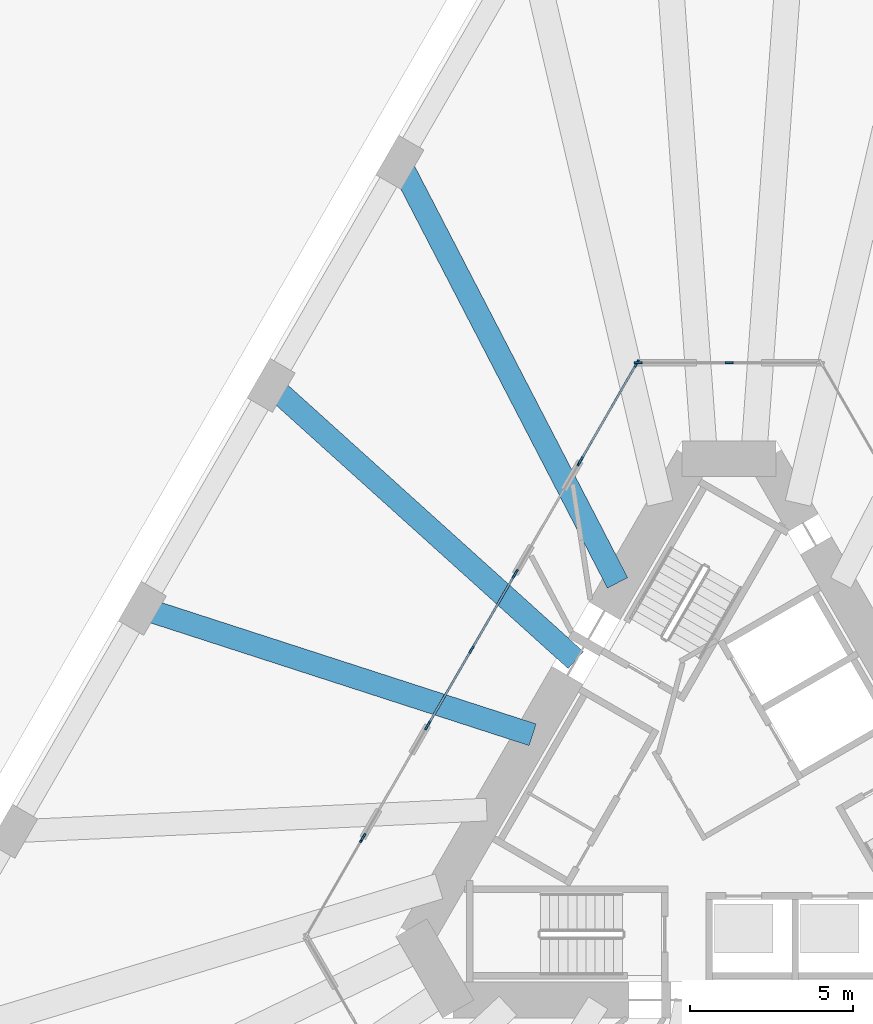
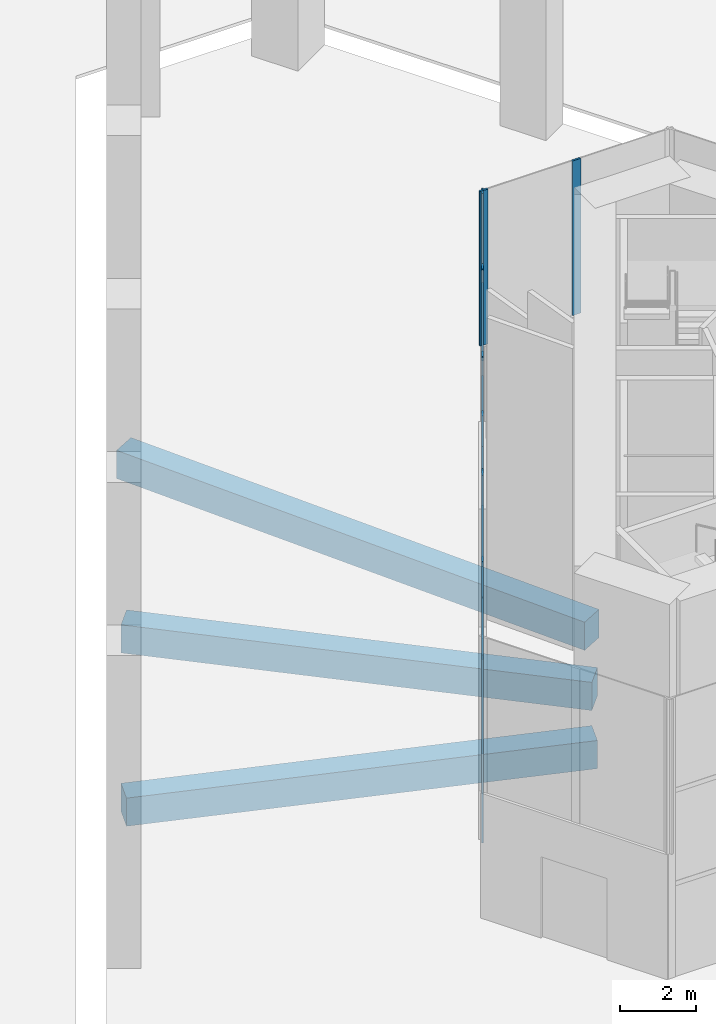
# One storey, part 4 of 13: 18 members, 3 beams, 6 elements without a shape of their own.
"""IFC4 building model written with IfcOpenShell, lengths in metres."""

import ifcopenshell
import ifcopenshell.guid

model = None  # the IFC model being written
_history = None  # IfcOwnerHistory: only IFC2X3 demands one
_inside = {}  # id of a spatial element -> (the spatial element, [elements in it])
_under = {}  # id of a project, library or spatial element -> (it, [spatial elements below it])
_declared = {}  # id of a project -> (the project, [libraries it declares])
_typed = {}  # id of a type object -> (the type object, [elements of that type])
_made_of = {}  # id of a material, layer set ... -> (it, [elements and type objects made of it])


def new_model(schema):
    """Start an empty IFC model of exactly this schema.

    Asked for "IFC4X3", IfcOpenShell would pick the latest addendum, in which some entities
    have other attributes; the version numbers below select the first issue.
    IFC2X3 requires an IfcOwnerHistory on every rooted entity: one is made here for all.
    """
    global model, _history
    if schema == "IFC4X3":
        model = ifcopenshell.file(schema_version=(4, 3, 0, 0))
    else:
        model = ifcopenshell.file(schema=schema)
    _inside.clear()
    _under.clear()
    _declared.clear()
    _typed.clear()
    _made_of.clear()
    _history = None
    if model.schema == "IFC2X3":
        org = make("IfcOrganization", Name="unknown")
        user = make(
            "IfcPersonAndOrganization",
            ThePerson=make("IfcPerson", FamilyName="unknown"),
            TheOrganization=org,
        )
        app = make(
            "IfcApplication",
            ApplicationDeveloper=org,
            Version="unknown",
            ApplicationFullName="unknown",
            ApplicationIdentifier="unknown",
        )
        _history = make(
            "IfcOwnerHistory",
            OwningUser=user,
            OwningApplication=app,
            ChangeAction="ADDED",
            CreationDate=0,
        )
    return model


def make(cls, **values):
    """One entity of the class cls with the attributes given. An attribute that is None is left unset."""
    return model.create_entity(
        cls, **{name: value for name, value in values.items() if value is not None}
    )


def rooted(cls, **values):
    """An entity with a GlobalId (a new one), such as an element, a storey or a relation."""
    return make(cls, GlobalId=ifcopenshell.guid.new(), OwnerHistory=_history, **values)


def si_unit(unit_type, name, prefix=None):
    """IfcSIUnit, for example si_unit("LENGTHUNIT", "METRE", prefix="MILLI")."""
    return make("IfcSIUnit", UnitType=unit_type, Prefix=prefix, Name=name)


def assignment(units):
    """IfcUnitAssignment: the units of a project."""
    return None if units is None else make("IfcUnitAssignment", Units=units)


def point(xyz):
    """IfcCartesianPoint."""
    return None if xyz is None else make("IfcCartesianPoint", Coordinates=xyz)


def direction(xyz):
    """IfcDirection."""
    return None if xyz is None else make("IfcDirection", DirectionRatios=xyz)


def frame(location, z_axis=None, x_axis=None):
    """IfcAxis2Placement3D, a coordinate frame: its origin and axes. An axis left out is left unset."""
    return make(
        "IfcAxis2Placement3D",
        Location=point(location),
        Axis=direction(z_axis),
        RefDirection=direction(x_axis),
    )


def frame_2d(location, x_axis=None):
    """IfcAxis2Placement2D, a coordinate frame in the plane: its origin and x axis."""
    return make(
        "IfcAxis2Placement2D", Location=point(location), RefDirection=direction(x_axis)
    )


def origin():
    """The frame at (0, 0, 0) with its axes left unset."""
    return frame((0.0, 0.0, 0.0))


def origin_2d():
    """The frame at (0, 0) in the plane with its x axis left unset."""
    return frame_2d((0.0, 0.0))


def place(relative_to, where):
    """IfcLocalPlacement: puts the frame where relative to a parent placement (None: the world)."""
    return make(
        "IfcLocalPlacement", PlacementRelTo=relative_to, RelativePlacement=where
    )


def context(
    kind, dimensions, precision=None, world=None, true_north=None, identifier=None
):
    """IfcGeometricRepresentationContext, for example the 3D "Model" context."""
    return make(
        "IfcGeometricRepresentationContext",
        ContextIdentifier=identifier,
        ContextType=kind,
        CoordinateSpaceDimension=dimensions,
        Precision=precision,
        WorldCoordinateSystem=world,
        TrueNorth=true_north,
    )


def subcontext(parent, identifier, kind, view, scale=None):
    """IfcGeometricRepresentationSubContext, for example "Body" below "Model"."""
    return make(
        "IfcGeometricRepresentationSubContext",
        ContextIdentifier=identifier,
        ContextType=kind,
        ParentContext=parent,
        TargetScale=scale,
        TargetView=view,
    )


def project(units=None, contexts=None):
    """IfcProject with its units and contexts."""
    return rooted(
        "IfcProject",
        Name="project",
        RepresentationContexts=contexts,
        UnitsInContext=assignment(units),
    )


def spatial(cls, under=None, at=None, **own):
    """A site, building, storey or space (cls), placed at a placement, below another one or the project."""
    s = rooted(cls, ObjectPlacement=at, **own)
    if under is not None:
        _under.setdefault(under.id(), (under, []))[1].append(s)
    return s


def profile(cls, at=None, kind="AREA", **sizes):
    """A parametric profile (cls). Its sizes go by their IFC names, for example OverallWidth=200.0."""
    return make(cls, ProfileType=kind, Position=at, **sizes)


def rectangle(**sizes):
    """IfcRectangleProfileDef."""
    return profile("IfcRectangleProfileDef", **sizes)


def extrude(swept, where, along, depth):
    """IfcExtrudedAreaSolid: the profile swept, set in the frame where, extruded along a direction by depth."""
    return make(
        "IfcExtrudedAreaSolid",
        SweptArea=swept,
        Position=where,
        ExtrudedDirection=direction(along),
        Depth=depth,
    )


def shape(context_of_items, identifier, shape_type, items):
    """IfcShapeRepresentation: the items that make up one representation, for example the "Body"."""
    return make(
        "IfcShapeRepresentation",
        ContextOfItems=context_of_items,
        RepresentationIdentifier=identifier,
        RepresentationType=shape_type,
        Items=items,
    )


def material(Name=None, Category=None):
    """IfcMaterial."""
    return make("IfcMaterial", Name=Name, Category=Category)


def layer(
    of_material, thickness, ventilated=None, Name=None, Category=None, Priority=None
):
    """IfcMaterialLayer: one layer of a wall or slab, of a material (None: an air gap)."""
    return make(
        "IfcMaterialLayer",
        Material=of_material,
        LayerThickness=thickness,
        IsVentilated=ventilated,
        Name=Name,
        Category=Category,
        Priority=Priority,
    )


def layer_set(layers, Name=None):
    """IfcMaterialLayerSet."""
    return make("IfcMaterialLayerSet", MaterialLayers=layers, LayerSetName=Name)


def material_profile(
    of_material, cross_section, Name=None, Category=None, Priority=None
):
    """IfcMaterialProfile: a cross section and its material."""
    return make(
        "IfcMaterialProfile",
        Name=Name,
        Material=of_material,
        Profile=cross_section,
        Priority=Priority,
        Category=Category,
    )


def profile_set(profiles, Name=None, composite=None):
    """IfcMaterialProfileSet."""
    return make(
        "IfcMaterialProfileSet",
        Name=Name,
        MaterialProfiles=profiles,
        CompositeProfile=composite,
    )


def made_of(thing, what):
    """Note that an element or type object is made of a material, layer set ...; save() writes the relation."""
    if what is not None:
        _made_of.setdefault(what.id(), (what, []))[1].append(thing)
    return thing


def type_object(cls, material=None, **own):
    """A type object (cls), such as IfcWallType, which elements share."""
    return made_of(rooted(cls, **own), material)


def element(
    cls,
    number,
    at=None,
    inside=None,
    cuts=None,
    type_object=None,
    material=None,
    context=None,
    identifier="Body",
    shape_type=None,
    held_by="IfcProductDefinitionShape",
    body=None,
    shapes=None,
    **own,
):
    """One element of the class cls, such as IfcWall. Its Tag is "e" and its number.

    at: its placement. inside: the storey or other place that contains it. cuts: it is an
    opening in that element (IfcRelVoidsElement). A single representation is given by context,
    identifier, shape_type and body (its items); several are given by shapes. held_by: the class
    of the entity that holds the representations. save() writes the other relations.
    """
    e = rooted(cls, Tag="e%d" % number, ObjectPlacement=at, **own)
    if body is not None:
        shapes = [shape(context, identifier, shape_type, body)]
    if shapes is not None:
        e.Representation = make(held_by, Representations=shapes)
    if inside is not None:
        _inside.setdefault(inside.id(), (inside, []))[1].append(e)
    if cuts is not None:
        rooted(
            "IfcRelVoidsElement", RelatingBuildingElement=cuts, RelatedOpeningElement=e
        )
    if type_object is not None:
        _typed.setdefault(type_object.id(), (type_object, []))[1].append(e)
    return made_of(e, material)


def aggregate(whole, parts):
    """IfcRelAggregates: a whole, such as a stair, and the parts it consists of."""
    return rooted("IfcRelAggregates", RelatingObject=whole, RelatedObjects=parts)


def save(model, path):
    """Write the relations noted so far, then the file.

    IfcRelAggregates (storeys below a building ...), IfcRelContainedInSpatialStructure (elements
    in a storey), IfcRelDefinesByType, IfcRelAssociatesMaterial and IfcRelDeclares: one each for
    every whole, place, type object, material and project.
    """
    for whole, parts in _under.values():
        aggregate(whole, parts)
    for where, things in _inside.values():
        rooted(
            "IfcRelContainedInSpatialStructure",
            RelatedElements=things,
            RelatingStructure=where,
        )
    for kind, things in _typed.values():
        rooted("IfcRelDefinesByType", RelatedObjects=things, RelatingType=kind)
    for what, things in _made_of.values():
        rooted("IfcRelAssociatesMaterial", RelatedObjects=things, RelatingMaterial=what)
    for by, libraries in _declared.values():
        rooted("IfcRelDeclares", RelatingContext=by, RelatedDefinitions=libraries)
    model.write(path)


model = new_model("IFC4")

# Units and contexts
model_context = context("Model", 3, precision=1e-05, world=origin(), true_north=direction((0.0, 1.0)))
body_context = subcontext(model_context, "Body", "Model", "MODEL_VIEW")
ifc_project = project(units=[si_unit("LENGTHUNIT", "METRE"), si_unit("AREAUNIT", "SQUARE_METRE"), si_unit("VOLUMEUNIT", "CUBIC_METRE"), si_unit("PLANEANGLEUNIT", "RADIAN"), si_unit("MASSUNIT", "GRAM", prefix="KILO")], contexts=[model_context])

# Site, building, storey
site_placement = place(None, origin())
site = spatial("IfcSite", under=ifc_project, at=site_placement, CompositionType="ELEMENT")
building_placement = place(site_placement, origin())
building = spatial("IfcBuilding", under=site, at=building_placement, Name="Tramontana Tower", CompositionType="ELEMENT")
storey_placement = place(building_placement, origin())
storey = spatial("IfcBuildingStorey", under=building, at=storey_placement, Name="L00", CompositionType="ELEMENT", Elevation=0.0)

# Curtain wall, member
ifc_material_1 = material(Name="Aluminum extrusion", Category="aluminium")
ifc_layer = layer(ifc_material_1, 0.14990234375)
ifc_layer_set = layer_set([ifc_layer], Name="CW1 Entrance pavilion curtain wall")
curtain_wall_type = type_object("IfcCurtainWallType", Name="CW1 Entrance pavilion curtain wall", PredefinedType="NOTDEFINED", material=ifc_layer_set)
curtain_wall_1_placement = place(storey_placement, origin())
curtain_wall_1 = element("IfcCurtainWall", 1, at=curtain_wall_1_placement, inside=storey, type_object=curtain_wall_type, Name="CW1 curtain wall L00 edge 3 run 1", PredefinedType="NOTDEFINED")
ifc_material_2 = material(Name="Aluminum extrusion", Category="aluminium")
ifc_material_profile_1 = material_profile(ifc_material_2, rectangle(XDim=0.06005859375, YDim=0.25, at=origin_2d()), Name="CW1-M Mullion 60 x 250")
ifc_profile_set_1 = profile_set([ifc_material_profile_1], Name="Aluminum extrusion")
member_type_1 = type_object("IfcMemberType", Name="CW1-M Mullion 60 x 250", PredefinedType="MULLION", material=ifc_profile_set_1)
member_1_placement = place(storey_placement, frame((-11.282958984375, -1.242431640625, 0.0), z_axis=(0.0, 0.0, 1.0), x_axis=(-0.866025403784, 0.5, 0.0)))
member_1 = element("IfcMember", 2, at=member_1_placement, type_object=member_type_1, Name="CW1 curtain wall L00 edge 3 run 1 mullion 2", PredefinedType="MULLION", context=body_context, shape_type="SweptSolid", body=[
    extrude(rectangle(XDim=0.06005859375, YDim=0.25, at=origin_2d()), origin(), (0.0, 0.0, 1.0), 8.949951171875),
])
aggregate(curtain_wall_1, [member_1])

# Curtain wall, members
curtain_wall_2_placement = place(storey_placement, origin())
curtain_wall_2 = element("IfcCurtainWall", 3, at=curtain_wall_2_placement, inside=storey, type_object=curtain_wall_type, Name="CW1 curtain wall L00 edge 3 run 2", PredefinedType="NOTDEFINED")
member_2_placement = place(storey_placement, frame((-9.2529296875, 2.2734375, 0.0), z_axis=(0.0, 0.0, 1.0), x_axis=(-0.866025403784, 0.5, 0.0)))
member_2 = element("IfcMember", 4, at=member_2_placement, type_object=member_type_1, Name="CW1 curtain wall L00 edge 3 run 2 mullion 1", PredefinedType="MULLION", context=body_context, shape_type="SweptSolid", body=[
    extrude(rectangle(XDim=0.06005859375, YDim=0.25, at=origin_2d()), origin(), (0.0, 0.0, 1.0), 8.949951171875),
])
member_3_placement = place(storey_placement, frame((-7.924072265625, 4.574951171875, 0.0), z_axis=(0.0, 0.0, 1.0), x_axis=(-0.866025403784, 0.5, 0.0)))
member_3 = element("IfcMember", 5, at=member_3_placement, type_object=member_type_1, Name="CW1 curtain wall L00 edge 3 run 2 mullion 2", PredefinedType="MULLION", context=body_context, shape_type="SweptSolid", body=[
    extrude(rectangle(XDim=0.06005859375, YDim=0.25, at=origin_2d()), origin(), (0.0, 0.0, 1.0), 8.949951171875),
])
member_4_placement = place(storey_placement, frame((-6.595458984375, 6.87646484375, 0.0), z_axis=(0.0, 0.0, 1.0), x_axis=(-0.866025403784, 0.5, 0.0)))
member_4 = element("IfcMember", 6, at=member_4_placement, type_object=member_type_1, Name="CW1 curtain wall L00 edge 3 run 2 mullion 3", PredefinedType="MULLION", context=body_context, shape_type="SweptSolid", body=[
    extrude(rectangle(XDim=0.06005859375, YDim=0.25, at=origin_2d()), origin(), (0.0, 0.0, 1.0), 8.949951171875),
])

curtain_wall_3_placement = place(storey_placement, origin())
curtain_wall_3 = element("IfcCurtainWall", 7, at=curtain_wall_3_placement, inside=storey, type_object=curtain_wall_type, Name="CW1 curtain wall L00 edge 3 run 3", PredefinedType="NOTDEFINED")
member_5_placement = place(storey_placement, frame((-4.5654296875, 10.392578125, 0.0), z_axis=(0.0, 0.0, 1.0), x_axis=(-0.866025403784, 0.5, 0.0)))
member_5 = element("IfcMember", 8, at=member_5_placement, type_object=member_type_1, Name="CW1 curtain wall L00 edge 3 run 3 mullion 1", PredefinedType="MULLION", context=body_context, shape_type="SweptSolid", body=[
    extrude(rectangle(XDim=0.06005859375, YDim=0.25, at=origin_2d()), origin(), (0.0, 0.0, 1.0), 8.949951171875),
])
member_6_placement = place(storey_placement, frame((-2.843994140625, 13.3740234375, 0.0), z_axis=(0.0, 0.0, 1.0), x_axis=(-0.866025403784, 0.5, 0.0)))
member_6 = element("IfcMember", 9, at=member_6_placement, type_object=member_type_1, Name="CW1 curtain wall L00 edge 3 run 3 mullion 2", PredefinedType="MULLION", context=body_context, shape_type="SweptSolid", body=[
    extrude(rectangle(XDim=0.06005859375, YDim=0.25, at=origin_2d()), origin(), (0.0, 0.0, 1.0), 8.949951171875),
])

curtain_wall_4_placement = place(storey_placement, origin())
curtain_wall_4 = element("IfcCurtainWall", 10, at=curtain_wall_4_placement, inside=storey, type_object=curtain_wall_type, Name="CW1 curtain wall L00 edge 3 over entrance 1", PredefinedType="NOTDEFINED")
member_7_placement = place(storey_placement, frame((-11.2529296875, -1.190673828125, 4.0), z_axis=(0.0, 0.0, 1.0), x_axis=(-0.866025403784, 0.5, 0.0)))
member_7 = element("IfcMember", 11, at=member_7_placement, type_object=member_type_1, Name="CW1 curtain wall L00 edge 3 over entrance 1 mullion 1", PredefinedType="MULLION", context=body_context, shape_type="SweptSolid", body=[
    extrude(rectangle(XDim=0.06005859375, YDim=0.25, at=origin_2d()), origin(), (0.0, 0.0, 1.0), 4.949951171875),
])
member_8_placement = place(storey_placement, frame((-9.282958984375, 2.2216796875, 4.0), z_axis=(0.0, 0.0, 1.0), x_axis=(-0.866025403784, 0.5, 0.0)))
member_8 = element("IfcMember", 12, at=member_8_placement, type_object=member_type_1, Name="CW1 curtain wall L00 edge 3 over entrance 1 mullion 2", PredefinedType="MULLION", context=body_context, shape_type="SweptSolid", body=[
    extrude(rectangle(XDim=0.06005859375, YDim=0.25, at=origin_2d()), origin(), (0.0, 0.0, 1.0), 4.949951171875),
])
aggregate(curtain_wall_4, [member_7, member_8])

curtain_wall_5_placement = place(storey_placement, origin())
curtain_wall_5 = element("IfcCurtainWall", 13, at=curtain_wall_5_placement, inside=storey, type_object=curtain_wall_type, Name="CW1 curtain wall L00 edge 3 over entrance 2", PredefinedType="NOTDEFINED")
member_9_placement = place(storey_placement, frame((-6.5654296875, 6.928466796875, 4.0), z_axis=(0.0, 0.0, 1.0), x_axis=(-0.866025403784, 0.5, 0.0)))
member_9 = element("IfcMember", 14, at=member_9_placement, type_object=member_type_1, Name="CW1 curtain wall L00 edge 3 over entrance 2 mullion 1", PredefinedType="MULLION", context=body_context, shape_type="SweptSolid", body=[
    extrude(rectangle(XDim=0.06005859375, YDim=0.25, at=origin_2d()), origin(), (0.0, 0.0, 1.0), 4.949951171875),
])
member_10_placement = place(storey_placement, frame((-4.595458984375, 10.340576171875, 4.0), z_axis=(0.0, 0.0, 1.0), x_axis=(-0.866025403784, 0.5, 0.0)))
member_10 = element("IfcMember", 15, at=member_10_placement, type_object=member_type_1, Name="CW1 curtain wall L00 edge 3 over entrance 2 mullion 2", PredefinedType="MULLION", context=body_context, shape_type="SweptSolid", body=[
    extrude(rectangle(XDim=0.06005859375, YDim=0.25, at=origin_2d()), origin(), (0.0, 0.0, 1.0), 4.949951171875),
])
aggregate(curtain_wall_5, [member_9, member_10])

curtain_wall_6_placement = place(storey_placement, origin())
curtain_wall_6 = element("IfcCurtainWall", 16, at=curtain_wall_6_placement, inside=storey, type_object=curtain_wall_type, Name="CW1 curtain wall L00 stair exit 3 over door", PredefinedType="NOTDEFINED")
member_11_placement = place(storey_placement, frame((-2.799072265625, 13.39990234375, 4.0), z_axis=(0.0, 0.0, 1.0), x_axis=(0.0, 1.0, 0.0)))
member_11 = element("IfcMember", 17, at=member_11_placement, type_object=member_type_1, Name="CW1 curtain wall L00 stair exit 3 over door mullion 1", PredefinedType="MULLION", context=body_context, shape_type="SweptSolid", body=[
    extrude(rectangle(XDim=0.06005859375, YDim=0.25, at=origin_2d()), origin(), (0.0, 0.0, 1.0), 4.949951171875),
])
member_12_placement = place(storey_placement, frame((0.0, 13.39990234375, 4.0), z_axis=(0.0, 0.0, 1.0), x_axis=(0.0, 1.0, 0.0)))
member_12 = element("IfcMember", 18, at=member_12_placement, type_object=member_type_1, Name="CW1 curtain wall L00 stair exit 3 over door mullion 2", PredefinedType="MULLION", context=body_context, shape_type="SweptSolid", body=[
    extrude(rectangle(XDim=0.06005859375, YDim=0.25, at=origin_2d()), origin(), (0.0, 0.0, 1.0), 4.949951171875),
])
aggregate(curtain_wall_6, [member_11, member_12])

# Member
ifc_material_3 = material(Name="Aluminum extrusion", Category="aluminium")
ifc_material_profile_2 = material_profile(ifc_material_3, rectangle(XDim=0.06005859375, YDim=0.14990234375, at=origin_2d()), Name="CW1-T Transom 60 x 150")
ifc_profile_set_2 = profile_set([ifc_material_profile_2], Name="Aluminum extrusion")
member_type_2 = type_object("IfcMemberType", Name="CW1-T Transom 60 x 150", PredefinedType="USERDEFINED", material=ifc_profile_set_2)
member_13_placement = place(storey_placement, frame((-9.23779296875, 2.299560546875, 2.98291015625), z_axis=(0.499950273417, 0.866054111537, 0.0), x_axis=(-0.866054111537, 0.499950273417, 0.0)))
member_13 = element("IfcMember", 19, at=member_13_placement, type_object=member_type_2, Name="CW1 curtain wall L00 edge 3 run 2 transom 1.1", ObjectType="TRANSOM", PredefinedType="USERDEFINED", context=body_context, shape_type="SweptSolid", body=[
    extrude(rectangle(XDim=0.06005859375, YDim=0.14990234375, at=origin_2d()), origin(), (0.0, 0.0, 1.0), 2.597412109375),
])

member_14_placement = place(storey_placement, frame((-9.23779296875, 2.299560546875, 5.967041015625), z_axis=(0.499950273417, 0.866054111537, 0.0), x_axis=(-0.866054111537, 0.499950273417, 0.0)))
member_14 = element("IfcMember", 20, at=member_14_placement, type_object=member_type_2, Name="CW1 curtain wall L00 edge 3 run 2 transom 1.2", ObjectType="TRANSOM", PredefinedType="USERDEFINED", context=body_context, shape_type="SweptSolid", body=[
    extrude(rectangle(XDim=0.06005859375, YDim=0.14990234375, at=origin_2d()), origin(), (0.0, 0.0, 1.0), 2.597412109375),
])

member_15_placement = place(storey_placement, frame((-7.9091796875, 4.60107421875, 2.98291015625), z_axis=(0.500020768084, 0.866013412994, 0.0), x_axis=(-0.866013412994, 0.500020768084, 0.0)))
member_15 = element("IfcMember", 21, at=member_15_placement, type_object=member_type_2, Name="CW1 curtain wall L00 edge 3 run 2 transom 2.1", ObjectType="TRANSOM", PredefinedType="USERDEFINED", context=body_context, shape_type="SweptSolid", body=[
    extrude(rectangle(XDim=0.06005859375, YDim=0.14990234375, at=origin_2d()), origin(), (0.0, 0.0, 1.0), 2.59765625),
])

member_16_placement = place(storey_placement, frame((-7.9091796875, 4.60107421875, 5.967041015625), z_axis=(0.500020768084, 0.866013412994, 0.0), x_axis=(-0.866013412994, 0.500020768084, 0.0)))
member_16 = element("IfcMember", 22, at=member_16_placement, type_object=member_type_2, Name="CW1 curtain wall L00 edge 3 run 2 transom 2.2", ObjectType="TRANSOM", PredefinedType="USERDEFINED", context=body_context, shape_type="SweptSolid", body=[
    extrude(rectangle(XDim=0.06005859375, YDim=0.14990234375, at=origin_2d()), origin(), (0.0, 0.0, 1.0), 2.59765625),
])

aggregate(curtain_wall_2, [member_2, member_3, member_4, member_13, member_14, member_15, member_16])

member_17_placement = place(storey_placement, frame((-4.55029296875, 10.41845703125, 2.98291015625), z_axis=(0.499934869009, 0.866063003914, 0.0), x_axis=(-0.866063003914, 0.499934869009, 0.0)))
member_17 = element("IfcMember", 23, at=member_17_placement, type_object=member_type_2, Name="CW1 curtain wall L00 edge 3 run 3 transom 1.1", ObjectType="TRANSOM", PredefinedType="USERDEFINED", context=body_context, shape_type="SweptSolid", body=[
    extrude(rectangle(XDim=0.06005859375, YDim=0.14990234375, at=origin_2d()), origin(), (0.0, 0.0, 1.0), 3.3828125),
])

member_18_placement = place(storey_placement, frame((-4.55029296875, 10.41845703125, 5.967041015625), z_axis=(0.499934869009, 0.866063003914, 0.0), x_axis=(-0.866063003914, 0.499934869009, 0.0)))
member_18 = element("IfcMember", 24, at=member_18_placement, type_object=member_type_2, Name="CW1 curtain wall L00 edge 3 run 3 transom 1.2", ObjectType="TRANSOM", PredefinedType="USERDEFINED", context=body_context, shape_type="SweptSolid", body=[
    extrude(rectangle(XDim=0.06005859375, YDim=0.14990234375, at=origin_2d()), origin(), (0.0, 0.0, 1.0), 3.3828125),
])

aggregate(curtain_wall_3, [member_5, member_6, member_17, member_18])

# Beams
ifc_material_4 = material(Name="Concrete 40 MPa", Category="concrete")
ifc_material_profile_3 = material_profile(ifc_material_4, rectangle(XDim=0.699951171875, YDim=0.89990234375, at=origin_2d()), Name="RC GIRDER 700X900 40 MPa")
ifc_profile_set_3 = profile_set([ifc_material_profile_3], Name="Concrete 40 MPa")
beam_type = type_object("IfcBeamType", Name="RC GIRDER 700X900 40 MPa", PredefinedType="BEAM", material=ifc_profile_set_3)
beam_1_placement = place(storey_placement, frame((-10.126220703125, 19.560791015625, -0.800048828125), z_axis=(0.459730770714, -0.88805834181, 0.0), x_axis=(0.88805834181, 0.459730770714, 0.0)))
element("IfcBeam", 25, at=beam_1_placement, inside=storey, type_object=beam_type, Name="Radial girder C0F02 L00", PredefinedType="BEAM", context=body_context, shape_type="SweptSolid", body=[
    extrude(rectangle(XDim=0.699951171875, YDim=0.89990234375, at=origin_2d()), origin(), (0.0, 0.0, 1.0), 14.5615234375),
])
beam_2_placement = place(storey_placement, frame((-14.085205078125, 12.70361328125, -0.800048828125), z_axis=(0.742588406407, -0.669748056116, 0.0), x_axis=(0.669748056116, 0.742588406407, 0.0)))
element("IfcBeam", 26, at=beam_2_placement, inside=storey, type_object=beam_type, Name="Radial girder C0F03 L00", PredefinedType="BEAM", context=body_context, shape_type="SweptSolid", body=[
    extrude(rectangle(XDim=0.699951171875, YDim=0.89990234375, at=origin_2d()), origin(), (0.0, 0.0, 1.0), 12.615966796875),
])
beam_3_placement = place(storey_placement, frame((-18.044189453125, 5.846435546875, -0.800048828125), z_axis=(0.951314408854, -0.30822215285, 0.0), x_axis=(0.30822215285, 0.951314408854, 0.0)))
element("IfcBeam", 27, at=beam_3_placement, inside=storey, type_object=beam_type, Name="Radial girder C0F04 L00", PredefinedType="BEAM", context=body_context, shape_type="SweptSolid", body=[
    extrude(rectangle(XDim=0.699951171875, YDim=0.89990234375, at=origin_2d()), origin(), (0.0, 0.0, 1.0), 12.61572265625),
])

save(model, "model.ifc")
